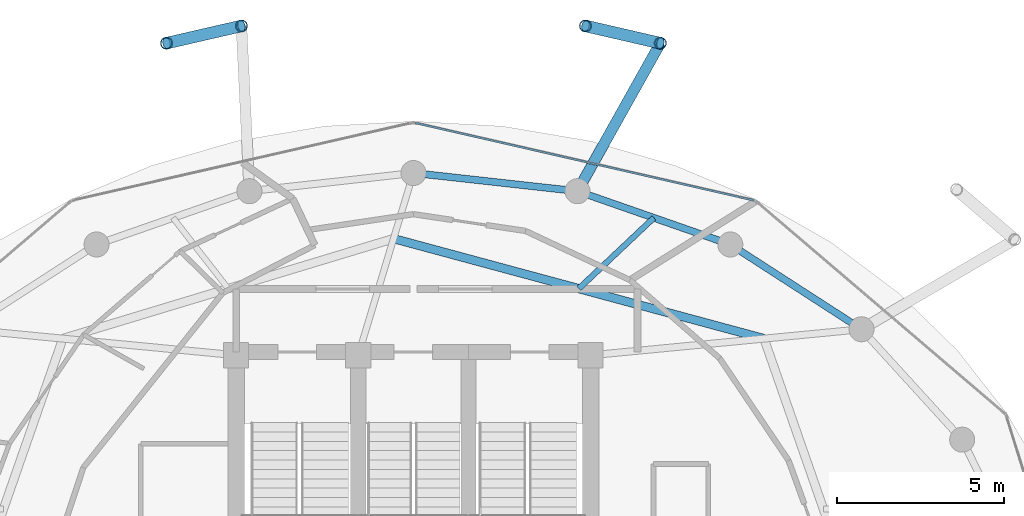
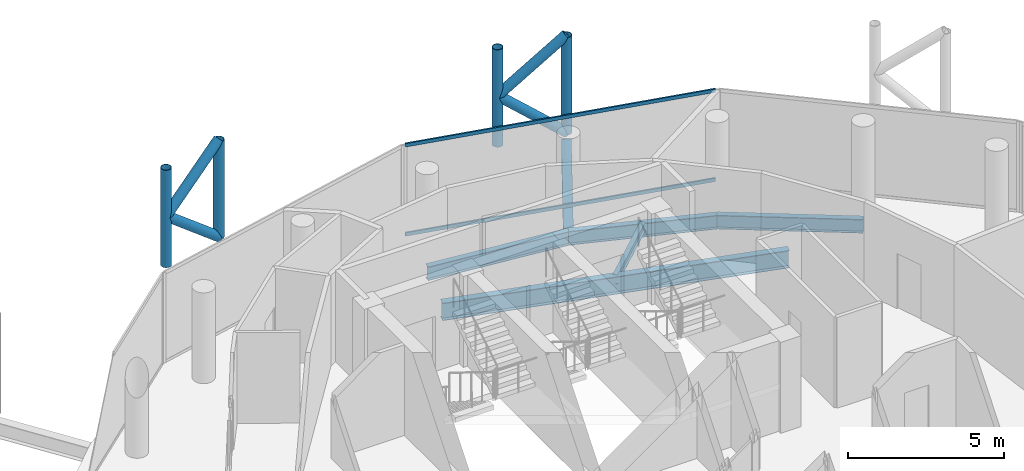
# One storey, part 17 of 24: 10 members, 6 beams, 1 element without a shape of its own.
"""IFC4 building model written with IfcOpenShell, lengths in metres."""

from ifc_helpers import new_model, si_unit, direction, frame, origin, origin_2d, place, context, subcontext, project, spatial, hollow_rectangle, hollow_circle, i_section, extrude, material, layer, layer_set, material_profile, profile_set, type_object, element, aggregate, save


model = new_model("IFC4")

# Units and contexts
model_context = context("Model", 3, precision=1e-05, world=origin(), true_north=direction((0.0, 1.0)))
body_context = subcontext(model_context, "Body", "Model", "MODEL_VIEW")
ifc_project = project(units=[si_unit("LENGTHUNIT", "METRE"), si_unit("AREAUNIT", "SQUARE_METRE"), si_unit("VOLUMEUNIT", "CUBIC_METRE"), si_unit("PLANEANGLEUNIT", "RADIAN"), si_unit("MASSUNIT", "GRAM", prefix="KILO")], contexts=[model_context])

# Site, building, storey
site_placement = place(None, origin())
site = spatial("IfcSite", under=ifc_project, at=site_placement, CompositionType="ELEMENT")
building_placement = place(site_placement, origin())
building = spatial("IfcBuilding", under=site, at=building_placement, Name="Nuhasar Tower", CompositionType="ELEMENT")
storey_placement = place(building_placement, frame((0.0, 0.0, 278.39990234375)))
storey = spatial("IfcBuildingStorey", under=building, at=storey_placement, Name="L69", CompositionType="ELEMENT", Elevation=278.39990234375)

# Beams
ifc_material_1 = material(Name="Steel S355", Category="steel")
ifc_material_profile_1 = material_profile(ifc_material_1, i_section(OverallWidth=0.25390625, OverallDepth=0.68408203125, WebThickness=0.012451171875, FlangeThickness=0.018798828125, at=origin_2d()), Name="W27X94")
ifc_profile_set_1 = profile_set([ifc_material_profile_1], Name="Steel S355")
beam_type_1 = type_object("IfcBeamType", Name="BM-INRING-W27X94", PredefinedType="BEAM", material=ifc_profile_set_1)
beam_1_placement = place(storey_placement, frame((49.48388671875, 37.798095703125, -0.601806640625), z_axis=(-0.965451835482, 0.260581567584, 0.0), x_axis=(-0.260581567584, -0.965451835482, 0.0)))
element("IfcBeam", 1, at=beam_1_placement, inside=storey, type_object=beam_type_1, Name="L69 Inner Header Beam 05", PredefinedType="BEAM", context=body_context, shape_type="SweptSolid", body=[
    extrude(i_section(OverallWidth=0.25390625, OverallDepth=0.68408203125, WebThickness=0.012451171875, FlangeThickness=0.018798828125, at=origin_2d()), origin(), (0.0, 0.0, 1.0), 11.474365234375),
])
ifc_material_profile_2 = material_profile(ifc_material_1, i_section(OverallWidth=0.1708984375, OverallDepth=0.35205078125, WebThickness=0.0068359375, FlangeThickness=0.009765625, at=origin_2d()), Name="W14X30")
ifc_profile_set_2 = profile_set([ifc_material_profile_2], Name="Steel S355")
beam_type_2 = type_object("IfcBeamType", Name="BM-JST-W14X30", PredefinedType="JOIST", material=ifc_profile_set_2)
beam_2_placement = place(storey_placement, frame((43.945068359375, 39.29296875, -0.435791015625), z_axis=(0.727532985224, 0.686072704173, 0.0), x_axis=(-0.686072704173, 0.727532985224, 0.0)))
element("IfcBeam", 2, at=beam_2_placement, inside=storey, type_object=beam_type_2, Name="L69 Secondary Floor Joist 05", PredefinedType="JOIST", context=body_context, shape_type="SweptSolid", body=[
    extrude(i_section(OverallWidth=0.1708984375, OverallDepth=0.35205078125, WebThickness=0.0068359375, FlangeThickness=0.009765625, at=origin_2d()), origin(), (0.0, 0.0, 1.0), 3.085693359375),
])
ifc_material_profile_3 = material_profile(ifc_material_1, i_section(OverallWidth=0.2099609375, OverallDepth=0.537109375, WebThickness=0.010986328125, FlangeThickness=0.017333984375, at=origin_2d()), Name="W21X68")
ifc_profile_set_3 = profile_set([ifc_material_profile_3], Name="Steel S355")
beam_type_3 = type_object("IfcBeamType", Name="BM-RING-W21X68", PredefinedType="SPANDREL", material=ifc_profile_set_3)
beam_3_placement = place(storey_placement, frame((52.39990234375, 38.077880859375, -0.52880859375), z_axis=(-0.840001671147, 0.54258381147, 0.0), x_axis=(-0.54258381147, -0.840001671147, 0.0)))
element("IfcBeam", 3, at=beam_3_placement, inside=storey, type_object=beam_type_3, Name="L69 Perimeter Ring Spandrel 04", PredefinedType="SPANDREL", context=body_context, shape_type="SweptSolid", body=[
    extrude(i_section(OverallWidth=0.2099609375, OverallDepth=0.537109375, WebThickness=0.010986328125, FlangeThickness=0.017333984375, at=origin_2d()), origin(), (0.0, 0.0, 1.0), 4.67236328125),
])
beam_4_placement = place(storey_placement, frame((48.47509765625, 40.613037109375, -0.52880859375), z_axis=(-0.944214043504, 0.329332415729, 0.0), x_axis=(-0.329332415729, -0.944214043504, 0.0)))
element("IfcBeam", 4, at=beam_4_placement, inside=storey, type_object=beam_type_3, Name="L69 Perimeter Ring Spandrel 05", PredefinedType="SPANDREL", context=body_context, shape_type="SweptSolid", body=[
    extrude(i_section(OverallWidth=0.2099609375, OverallDepth=0.537109375, WebThickness=0.010986328125, FlangeThickness=0.017333984375, at=origin_2d()), origin(), (0.0, 0.0, 1.0), 4.840087890625),
])
beam_5_placement = place(storey_placement, frame((43.905029296875, 42.20703125, -0.52880859375), z_axis=(-0.99392889943, 0.110024283128, 0.0), x_axis=(-0.110024283128, -0.99392889943, 0.0)))
element("IfcBeam", 5, at=beam_5_placement, inside=storey, type_object=beam_type_3, Name="L69 Perimeter Ring Spandrel 06", PredefinedType="SPANDREL", context=body_context, shape_type="SweptSolid", body=[
    extrude(i_section(OverallWidth=0.2099609375, OverallDepth=0.537109375, WebThickness=0.010986328125, FlangeThickness=0.017333984375, at=origin_2d()), origin(), (0.0, 0.0, 1.0), 4.93505859375),
])
ifc_material_profile_4 = material_profile(ifc_material_1, i_section(OverallWidth=0.323974609375, OverallDepth=0.611083984375, WebThickness=0.0126953125, FlangeThickness=0.01904296875, at=origin_2d()), Name="W24X104")
ifc_profile_set_4 = profile_set([ifc_material_profile_4], Name="Steel S355")
beam_type_4 = type_object("IfcBeamType", Name="BM-TIE-W24X104", PredefinedType="BEAM", material=ifc_profile_set_4)
beam_6_placement = place(storey_placement, frame((43.905029296875, 42.20703125, -0.56591796875), z_axis=(0.488667847762, 0.872469904675, 0.0), x_axis=(-0.872469904675, 0.488667847762, 0.0)))
element("IfcBeam", 6, at=beam_6_placement, inside=storey, type_object=beam_type_4, Name="L69 Exoskeleton Node Tie Beam 03", PredefinedType="BEAM", context=body_context, shape_type="SweptSolid", body=[
    extrude(i_section(OverallWidth=0.323974609375, OverallDepth=0.611083984375, WebThickness=0.0126953125, FlangeThickness=0.01904296875, at=origin_2d()), origin(), (0.0, 0.0, 1.0), 5.072998046875),
])

# Curtain wall, members
ifc_material_2 = material(Name="Aluminium 6063-T6", Category="aluminium")
ifc_layer = layer(ifc_material_2, 0.18994140625)
ifc_layer_set = layer_set([ifc_layer], Name="Aluminium 6063-T6")
curtain_wall_type = type_object("IfcCurtainWallType", Name="CW-Z4-PEN", PredefinedType="NOTDEFINED", material=ifc_layer_set)
curtain_wall_placement = place(storey_placement, origin())
curtain_wall = element("IfcCurtainWall", 7, at=curtain_wall_placement, inside=storey, type_object=curtain_wall_type, Name="L69 Unitised Curtain Wall 03", PredefinedType="NOTDEFINED")
ifc_material_profile_5 = material_profile(ifc_material_2, hollow_rectangle(XDim=0.06005859375, YDim=0.135009765625, WallThickness=0.00439453125, at=origin_2d()), Name="CWT-5")
ifc_profile_set_5 = profile_set([ifc_material_profile_5], Name="Aluminium 6063-T6")
member_type_1 = type_object("IfcMemberType", Name="CW-TRN-S5", PredefinedType="USERDEFINED", material=ifc_profile_set_5)
member_1_placement = place(storey_placement, frame((49.171630859375, 41.934326171875, 0.030029296875), z_axis=(-0.974843752401, 0.222889341163, 0.0), x_axis=(-0.222889341163, -0.974843752401, 0.0)))
member_1 = element("IfcMember", 8, at=member_1_placement, type_object=member_type_1, Name="CW-Z4 transom 1.1", ObjectType="TRANSOM", PredefinedType="USERDEFINED", context=body_context, shape_type="SweptSolid", body=[
    extrude(hollow_rectangle(XDim=0.06005859375, YDim=0.135009765625, WallThickness=0.00439453125, at=origin_2d()), origin(), (0.0, 0.0, 1.0), 10.3740234375),
])
member_2_placement = place(storey_placement, frame((49.171630859375, 41.934326171875, 3.510009765625), z_axis=(-0.974843752401, 0.222889341163, 0.0), x_axis=(-0.222889341163, -0.974843752401, 0.0)))
member_2 = element("IfcMember", 9, at=member_2_placement, type_object=member_type_1, Name="CW-Z4 transom 1.2", ObjectType="TRANSOM", PredefinedType="USERDEFINED", context=body_context, shape_type="SweptSolid", body=[
    extrude(hollow_rectangle(XDim=0.06005859375, YDim=0.135009765625, WallThickness=0.00439453125, at=origin_2d()), origin(), (0.0, 0.0, 1.0), 10.3740234375),
])
aggregate(curtain_wall, [member_1, member_2])

# Members
ifc_material_3 = material(Name="Steel S460", Category="steel")
ifc_material_profile_6 = material_profile(ifc_material_3, hollow_circle(Radius=0.177734375, WallThickness=0.015869140625, at=origin_2d()), Name="HSS355.6X15.9")
ifc_profile_set_6 = profile_set([ifc_material_profile_6], Name="Steel S460")
member_type_2 = type_object("IfcMemberType", Name="EXO-BRONZE-356", PredefinedType="BRACE", material=ifc_profile_set_6)
for number, where, z_axis, x_axis, name in (
    (10, (46.384033203125, 46.633056640625, 0.0), (0.0, 0.0, 1.0), (1.0, 0.0, 0.0), "L69 Exoskeleton Chord Column EC-03A"),
    (11, (44.14306640625, 47.14892578125, 0.0), (0.0, 0.0, 1.0), (1.0, 0.0, 0.0), "L69 Exoskeleton Chord Column EC-03B"),
    (12, (33.85693359375, 47.14892578125, 0.0), (0.0, 0.0, 1.0), (1.0, 0.0, 0.0), "L69 Exoskeleton Chord Column EC-04A"),
    (13, (31.615966796875, 46.633056640625, 0.0), (0.0, 0.0, 1.0), (1.0, 0.0, 0.0), "L69 Exoskeleton Chord Column EC-04B"),
):
    element("IfcMember", number, at=place(storey_placement, frame(where, z_axis=z_axis, x_axis=x_axis)), inside=storey, type_object=member_type_2, Name=name, PredefinedType="BRACE", context=body_context, shape_type="SweptSolid", body=[
        extrude(hollow_circle(Radius=0.177734375, WallThickness=0.015869140625, at=origin_2d()), origin(), (0.0, 0.0, 1.0), 3.800048828125),
    ])
member_3_placement = place(storey_placement, frame((46.384033203125, 46.633056640625, 0.0), z_axis=(-0.751232450652, 0.172933235454, 0.636980298881), x_axis=(-0.224332214284, -0.974512728308, 0.0)))
element("IfcMember", 14, at=member_3_placement, inside=storey, type_object=member_type_2, Name="L69 Bronze Diagrid Brace W1-03", PredefinedType="BRACE", context=body_context, shape_type="SweptSolid", body=[
    extrude(hollow_circle(Radius=0.177734375, WallThickness=0.015869140625, at=origin_2d()), origin(), (0.0, 0.0, 1.0), 2.983154296875),
])
member_4_placement = place(storey_placement, frame((44.14306640625, 47.14892578125, 1.900146484375), z_axis=(0.751271614502, -0.172942250947, 0.636931659663), x_axis=(0.224332214284, 0.974512728308, 0.0)))
element("IfcMember", 15, at=member_4_placement, inside=storey, type_object=member_type_2, Name="L69 Bronze Diagrid Brace W2-03", PredefinedType="BRACE", context=body_context, shape_type="SweptSolid", body=[
    extrude(hollow_circle(Radius=0.177734375, WallThickness=0.015869140625, at=origin_2d()), origin(), (0.0, 0.0, 1.0), 2.98291015625),
])
member_5_placement = place(storey_placement, frame((33.85693359375, 47.14892578125, 0.0), z_axis=(-0.751232450652, -0.172933235454, 0.636980298881), x_axis=(0.224332214284, -0.974512728308, 0.0)))
element("IfcMember", 16, at=member_5_placement, inside=storey, type_object=member_type_2, Name="L69 Bronze Diagrid Brace W1-04", PredefinedType="BRACE", context=body_context, shape_type="SweptSolid", body=[
    extrude(hollow_circle(Radius=0.177734375, WallThickness=0.015869140625, at=origin_2d()), origin(), (0.0, 0.0, 1.0), 2.983154296875),
])
member_6_placement = place(storey_placement, frame((31.615966796875, 46.633056640625, 1.900146484375), z_axis=(0.751271614502, 0.172942250947, 0.636931659663), x_axis=(-0.224332214284, 0.974512728308, 0.0)))
element("IfcMember", 17, at=member_6_placement, inside=storey, type_object=member_type_2, Name="L69 Bronze Diagrid Brace W2-04", PredefinedType="BRACE", context=body_context, shape_type="SweptSolid", body=[
    extrude(hollow_circle(Radius=0.177734375, WallThickness=0.015869140625, at=origin_2d()), origin(), (0.0, 0.0, 1.0), 2.98291015625),
])

save(model, "model.ifc")
